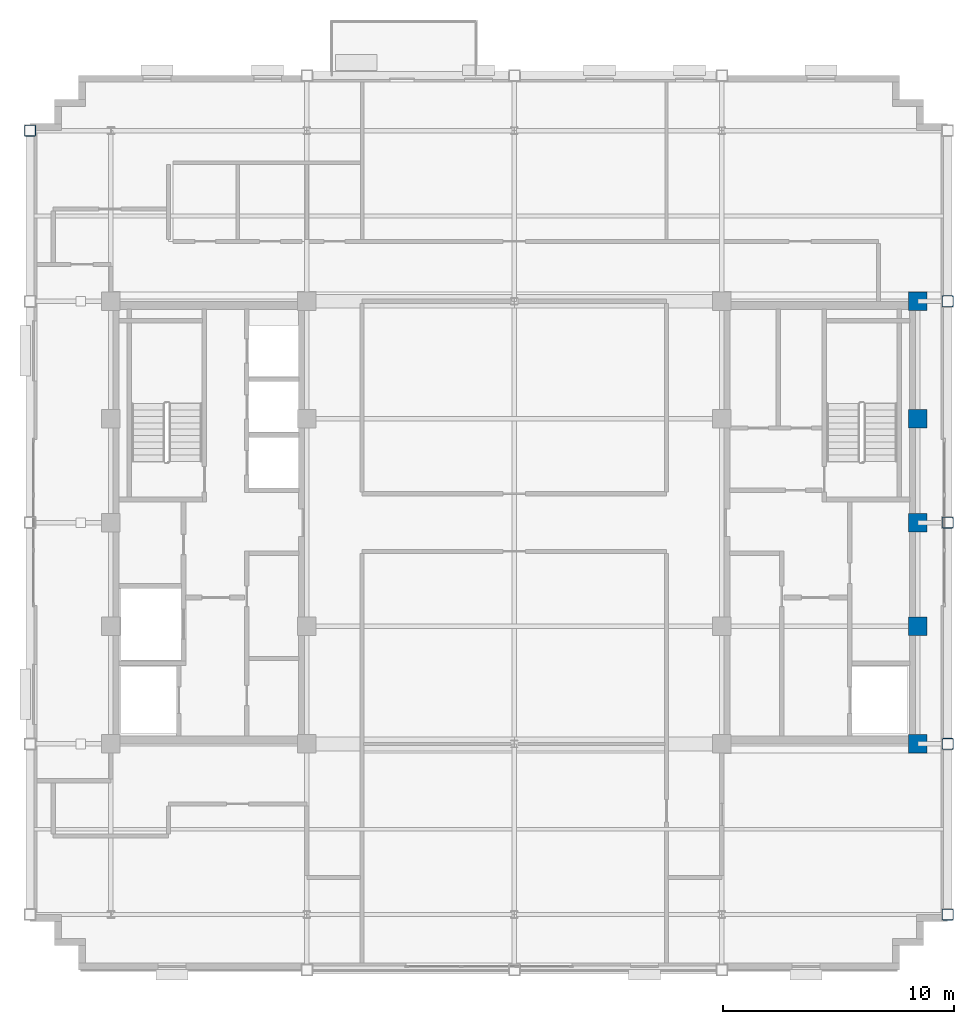
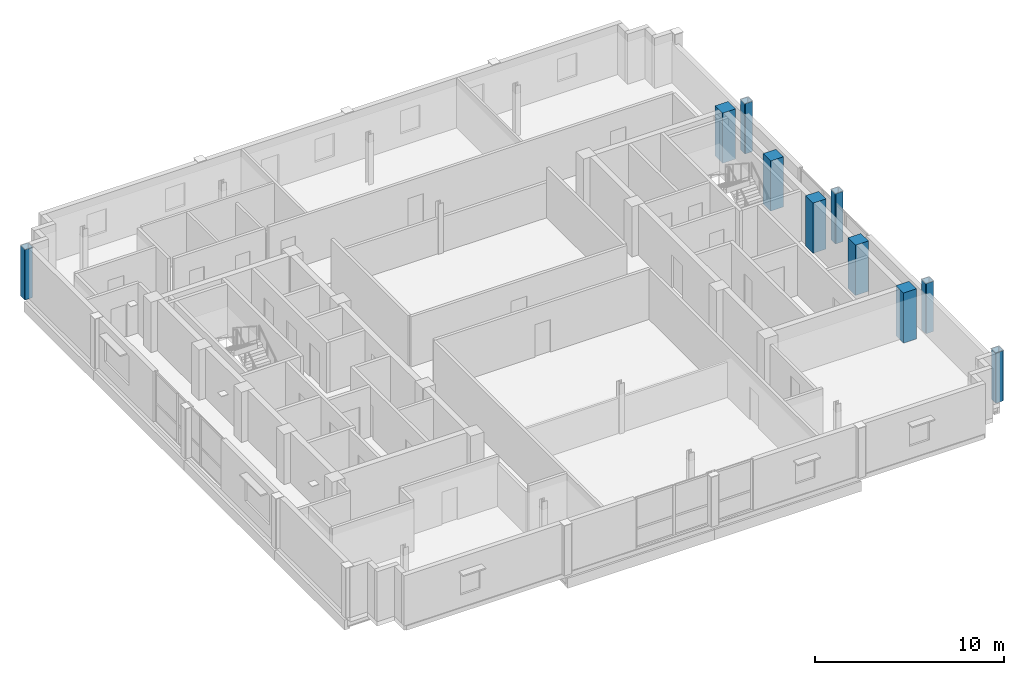
# One storey, part 2 of 15: 10 columns.
"""IFC4 building model written with IfcOpenShell, lengths in metres."""

from ifc_helpers import new_model, si_unit, direction, frame, origin, origin_2d, place, context, subcontext, project, spatial, rectangle, hollow_rectangle, extrude, material, material_profile, profile_set, type_object, element, save


model = new_model("IFC4")

# Units and contexts
model_context = context("Model", 3, precision=1e-05, world=origin(), true_north=direction((0.0, 1.0)))
body_context = subcontext(model_context, "Body", "Model", "MODEL_VIEW")
ifc_project = project(units=[si_unit("LENGTHUNIT", "METRE"), si_unit("AREAUNIT", "SQUARE_METRE"), si_unit("VOLUMEUNIT", "CUBIC_METRE"), si_unit("PLANEANGLEUNIT", "RADIAN"), si_unit("MASSUNIT", "GRAM", prefix="KILO")], contexts=[model_context])

# Site, building, storey
site_placement = place(None, origin())
site = spatial("IfcSite", under=ifc_project, at=site_placement, CompositionType="ELEMENT")
building_placement = place(site_placement, origin())
building = spatial("IfcBuilding", under=site, at=building_placement, Name="Nuvemarco Arch Tower", CompositionType="ELEMENT")
storey_placement = place(building_placement, frame((0.0, 0.0, 283.5)))
storey = spatial("IfcBuildingStorey", under=building, at=storey_placement, Name="L75", CompositionType="ELEMENT", Elevation=283.5)

# Columns
ifc_material_1 = material(Name="Concrete C50/60", Category="concrete")
ifc_material_profile_1 = material_profile(ifc_material_1, rectangle(XDim=0.800048828125, YDim=0.800048828125, at=origin_2d()), Name="RC-COL-800x800")
ifc_profile_set_1 = profile_set([ifc_material_profile_1], Name="Concrete C50/60")
column_type_1 = type_object("IfcColumnType", Name="COL-CORE-800", PredefinedType="COLUMN", material=ifc_profile_set_1)
for number, where, z_axis, x_axis, name in (
    (1, (17.5, -9.60009765625, 0.0), (0.0, 0.0, 1.0), (1.0, 0.0, 0.0), "L75 column CC_+17.5_-9.6"),
    (2, (17.5, -4.5, 0.0), (0.0, 0.0, 1.0), (1.0, 0.0, 0.0), "L75 column CC_+17.5_-4.5"),
    (3, (17.5, 4.5, 0.0), (0.0, 0.0, 1.0), (1.0, 0.0, 0.0), "L75 column CC_+17.5_+4.5"),
    (4, (17.5, 9.60009765625, 0.0), (0.0, 0.0, 1.0), (1.0, 0.0, 0.0), "L75 column CC_+17.5_+9.6"),
    (5, (17.5, 0.0, 0.0), (0.0, 0.0, 1.0), (1.0, 0.0, 0.0), "L75 column CC_+17.5_+0.0"),
):
    element("IfcColumn", number, at=place(storey_placement, frame(where, z_axis=z_axis, x_axis=x_axis)), inside=storey, type_object=column_type_1, Name=name, PredefinedType="COLUMN", context=body_context, shape_type="SweptSolid", body=[
        extrude(rectangle(XDim=0.800048828125, YDim=0.800048828125, at=origin_2d()), origin(), (0.0, 0.0, 1.0), 3.25),
    ])
ifc_material_2 = material(Name="Steel S355", Category="steel")
ifc_material_profile_2 = material_profile(ifc_material_2, hollow_rectangle(XDim=0.5, YDim=0.5, WallThickness=0.031982421875, InnerFilletRadius=0.031982421875, OuterFilletRadius=0.06396484375, at=origin_2d()), Name="SHS500x500x32")
ifc_profile_set_2 = profile_set([ifc_material_profile_2], Name="Steel S355")
column_type_2 = type_object("IfcColumnType", Name="COL-EXO-500", PredefinedType="COLUMN", material=ifc_profile_set_2)
for number, where, z_axis, x_axis, name in (
    (6, (-21.0, 17.0, 0.0), (0.0, 0.0, 1.0), (1.0, 0.0, 0.0), "L75 column CX_-21.0_+17.0"),
    (7, (18.800048828125, -17.0, 0.0), (0.0, 0.0, 1.0), (1.0, 0.0, 0.0), "L75 column CX_+18.8_-17.0"),
    (8, (18.800048828125, -9.60009765625, 0.0), (0.0, 0.0, 1.0), (1.0, 0.0, 0.0), "L75 column CX_+18.8_-9.6"),
    (9, (18.800048828125, 0.0, 0.0), (0.0, 0.0, 1.0), (1.0, 0.0, 0.0), "L75 column CX_+18.8_+0.0"),
    (10, (18.800048828125, 9.60009765625, 0.0), (0.0, 0.0, 1.0), (1.0, 0.0, 0.0), "L75 column CX_+18.8_+9.6"),
):
    element("IfcColumn", number, at=place(storey_placement, frame(where, z_axis=z_axis, x_axis=x_axis)), inside=storey, type_object=column_type_2, Name=name, PredefinedType="COLUMN", context=body_context, shape_type="SweptSolid", body=[
        extrude(hollow_rectangle(XDim=0.5, YDim=0.5, WallThickness=0.031982421875, InnerFilletRadius=0.031982421875, OuterFilletRadius=0.06396484375, at=origin_2d()), origin(), (0.0, 0.0, 1.0), 3.25),
    ])

save(model, "model.ifc")
